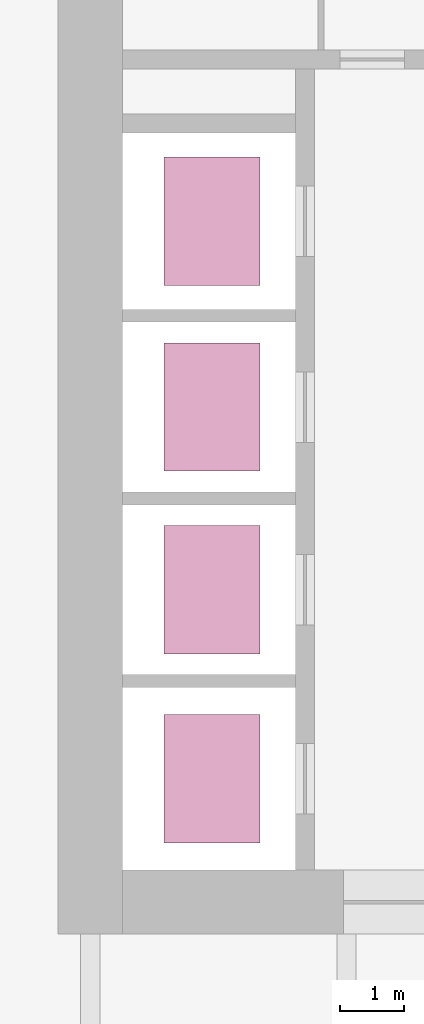
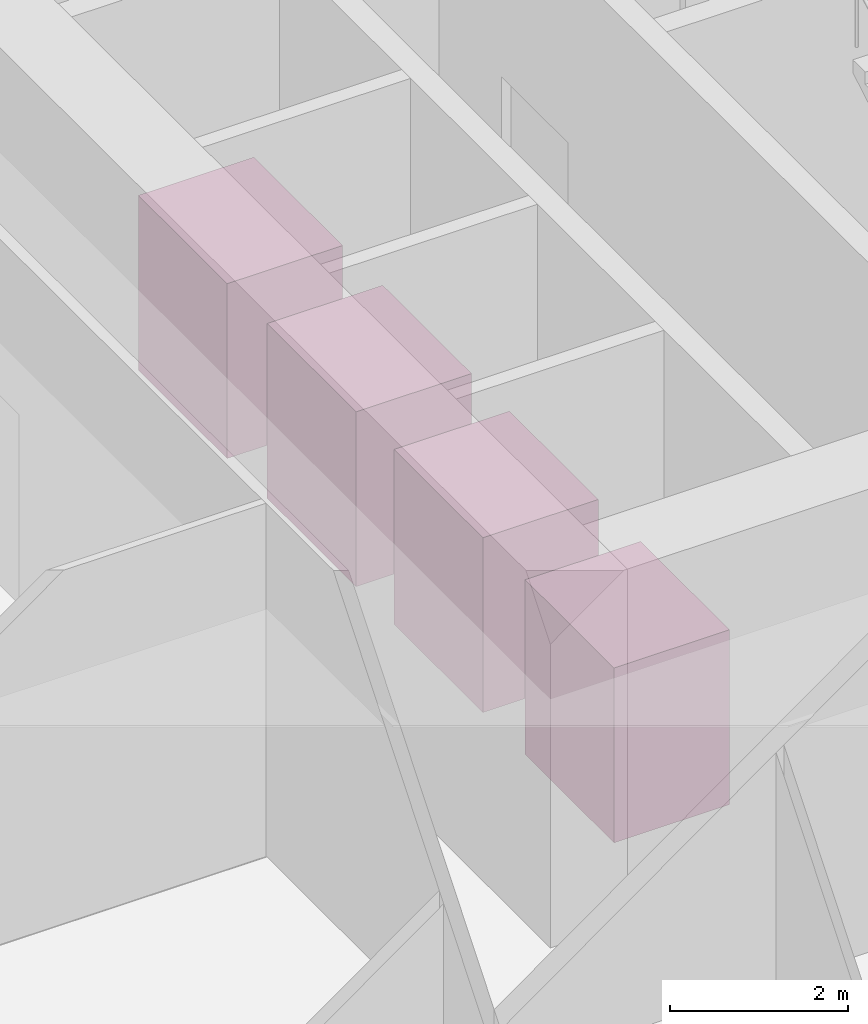
# One storey, part 13 of 13: 4 transport elements.
"""IFC4 building model written with IfcOpenShell, lengths in metres."""

import ifcopenshell
import ifcopenshell.guid

model = None  # the IFC model being written
_history = None  # IfcOwnerHistory: only IFC2X3 demands one
_inside = {}  # id of a spatial element -> (the spatial element, [elements in it])
_under = {}  # id of a project, library or spatial element -> (it, [spatial elements below it])
_declared = {}  # id of a project -> (the project, [libraries it declares])
_typed = {}  # id of a type object -> (the type object, [elements of that type])
_made_of = {}  # id of a material, layer set ... -> (it, [elements and type objects made of it])


def new_model(schema):
    """Start an empty IFC model of exactly this schema.

    Asked for "IFC4X3", IfcOpenShell would pick the latest addendum, in which some entities
    have other attributes; the version numbers below select the first issue.
    IFC2X3 requires an IfcOwnerHistory on every rooted entity: one is made here for all.
    """
    global model, _history
    if schema == "IFC4X3":
        model = ifcopenshell.file(schema_version=(4, 3, 0, 0))
    else:
        model = ifcopenshell.file(schema=schema)
    _inside.clear()
    _under.clear()
    _declared.clear()
    _typed.clear()
    _made_of.clear()
    _history = None
    if model.schema == "IFC2X3":
        org = make("IfcOrganization", Name="unknown")
        user = make(
            "IfcPersonAndOrganization",
            ThePerson=make("IfcPerson", FamilyName="unknown"),
            TheOrganization=org,
        )
        app = make(
            "IfcApplication",
            ApplicationDeveloper=org,
            Version="unknown",
            ApplicationFullName="unknown",
            ApplicationIdentifier="unknown",
        )
        _history = make(
            "IfcOwnerHistory",
            OwningUser=user,
            OwningApplication=app,
            ChangeAction="ADDED",
            CreationDate=0,
        )
    return model


def make(cls, **values):
    """One entity of the class cls with the attributes given. An attribute that is None is left unset."""
    return model.create_entity(
        cls, **{name: value for name, value in values.items() if value is not None}
    )


def rooted(cls, **values):
    """An entity with a GlobalId (a new one), such as an element, a storey or a relation."""
    return make(cls, GlobalId=ifcopenshell.guid.new(), OwnerHistory=_history, **values)


def si_unit(unit_type, name, prefix=None):
    """IfcSIUnit, for example si_unit("LENGTHUNIT", "METRE", prefix="MILLI")."""
    return make("IfcSIUnit", UnitType=unit_type, Prefix=prefix, Name=name)


def assignment(units):
    """IfcUnitAssignment: the units of a project."""
    return None if units is None else make("IfcUnitAssignment", Units=units)


def point(xyz):
    """IfcCartesianPoint."""
    return None if xyz is None else make("IfcCartesianPoint", Coordinates=xyz)


def direction(xyz):
    """IfcDirection."""
    return None if xyz is None else make("IfcDirection", DirectionRatios=xyz)


def frame(location, z_axis=None, x_axis=None):
    """IfcAxis2Placement3D, a coordinate frame: its origin and axes. An axis left out is left unset."""
    return make(
        "IfcAxis2Placement3D",
        Location=point(location),
        Axis=direction(z_axis),
        RefDirection=direction(x_axis),
    )


def frame_2d(location, x_axis=None):
    """IfcAxis2Placement2D, a coordinate frame in the plane: its origin and x axis."""
    return make(
        "IfcAxis2Placement2D", Location=point(location), RefDirection=direction(x_axis)
    )


def origin():
    """The frame at (0, 0, 0) with its axes left unset."""
    return frame((0.0, 0.0, 0.0))


def origin_2d():
    """The frame at (0, 0) in the plane with its x axis left unset."""
    return frame_2d((0.0, 0.0))


def place(relative_to, where):
    """IfcLocalPlacement: puts the frame where relative to a parent placement (None: the world)."""
    return make(
        "IfcLocalPlacement", PlacementRelTo=relative_to, RelativePlacement=where
    )


def context(
    kind, dimensions, precision=None, world=None, true_north=None, identifier=None
):
    """IfcGeometricRepresentationContext, for example the 3D "Model" context."""
    return make(
        "IfcGeometricRepresentationContext",
        ContextIdentifier=identifier,
        ContextType=kind,
        CoordinateSpaceDimension=dimensions,
        Precision=precision,
        WorldCoordinateSystem=world,
        TrueNorth=true_north,
    )


def subcontext(parent, identifier, kind, view, scale=None):
    """IfcGeometricRepresentationSubContext, for example "Body" below "Model"."""
    return make(
        "IfcGeometricRepresentationSubContext",
        ContextIdentifier=identifier,
        ContextType=kind,
        ParentContext=parent,
        TargetScale=scale,
        TargetView=view,
    )


def project(units=None, contexts=None):
    """IfcProject with its units and contexts."""
    return rooted(
        "IfcProject",
        Name="project",
        RepresentationContexts=contexts,
        UnitsInContext=assignment(units),
    )


def spatial(cls, under=None, at=None, **own):
    """A site, building, storey or space (cls), placed at a placement, below another one or the project."""
    s = rooted(cls, ObjectPlacement=at, **own)
    if under is not None:
        _under.setdefault(under.id(), (under, []))[1].append(s)
    return s


def profile(cls, at=None, kind="AREA", **sizes):
    """A parametric profile (cls). Its sizes go by their IFC names, for example OverallWidth=200.0."""
    return make(cls, ProfileType=kind, Position=at, **sizes)


def rectangle(**sizes):
    """IfcRectangleProfileDef."""
    return profile("IfcRectangleProfileDef", **sizes)


def extrude(swept, where, along, depth):
    """IfcExtrudedAreaSolid: the profile swept, set in the frame where, extruded along a direction by depth."""
    return make(
        "IfcExtrudedAreaSolid",
        SweptArea=swept,
        Position=where,
        ExtrudedDirection=direction(along),
        Depth=depth,
    )


def shape(context_of_items, identifier, shape_type, items):
    """IfcShapeRepresentation: the items that make up one representation, for example the "Body"."""
    return make(
        "IfcShapeRepresentation",
        ContextOfItems=context_of_items,
        RepresentationIdentifier=identifier,
        RepresentationType=shape_type,
        Items=items,
    )


def material(Name=None, Category=None):
    """IfcMaterial."""
    return make("IfcMaterial", Name=Name, Category=Category)


def made_of(thing, what):
    """Note that an element or type object is made of a material, layer set ...; save() writes the relation."""
    if what is not None:
        _made_of.setdefault(what.id(), (what, []))[1].append(thing)
    return thing


def type_object(cls, material=None, **own):
    """A type object (cls), such as IfcWallType, which elements share."""
    return made_of(rooted(cls, **own), material)


def element(
    cls,
    number,
    at=None,
    inside=None,
    cuts=None,
    type_object=None,
    material=None,
    context=None,
    identifier="Body",
    shape_type=None,
    held_by="IfcProductDefinitionShape",
    body=None,
    shapes=None,
    **own,
):
    """One element of the class cls, such as IfcWall. Its Tag is "e" and its number.

    at: its placement. inside: the storey or other place that contains it. cuts: it is an
    opening in that element (IfcRelVoidsElement). A single representation is given by context,
    identifier, shape_type and body (its items); several are given by shapes. held_by: the class
    of the entity that holds the representations. save() writes the other relations.
    """
    e = rooted(cls, Tag="e%d" % number, ObjectPlacement=at, **own)
    if body is not None:
        shapes = [shape(context, identifier, shape_type, body)]
    if shapes is not None:
        e.Representation = make(held_by, Representations=shapes)
    if inside is not None:
        _inside.setdefault(inside.id(), (inside, []))[1].append(e)
    if cuts is not None:
        rooted(
            "IfcRelVoidsElement", RelatingBuildingElement=cuts, RelatedOpeningElement=e
        )
    if type_object is not None:
        _typed.setdefault(type_object.id(), (type_object, []))[1].append(e)
    return made_of(e, material)


def aggregate(whole, parts):
    """IfcRelAggregates: a whole, such as a stair, and the parts it consists of."""
    return rooted("IfcRelAggregates", RelatingObject=whole, RelatedObjects=parts)


def save(model, path):
    """Write the relations noted so far, then the file.

    IfcRelAggregates (storeys below a building ...), IfcRelContainedInSpatialStructure (elements
    in a storey), IfcRelDefinesByType, IfcRelAssociatesMaterial and IfcRelDeclares: one each for
    every whole, place, type object, material and project.
    """
    for whole, parts in _under.values():
        aggregate(whole, parts)
    for where, things in _inside.values():
        rooted(
            "IfcRelContainedInSpatialStructure",
            RelatedElements=things,
            RelatingStructure=where,
        )
    for kind, things in _typed.values():
        rooted("IfcRelDefinesByType", RelatedObjects=things, RelatingType=kind)
    for what, things in _made_of.values():
        rooted("IfcRelAssociatesMaterial", RelatedObjects=things, RelatingMaterial=what)
    for by, libraries in _declared.values():
        rooted("IfcRelDeclares", RelatingContext=by, RelatedDefinitions=libraries)
    model.write(path)


model = new_model("IFC4")

# Units and contexts
model_context = context("Model", 3, precision=1e-05, world=origin(), true_north=direction((0.0, 1.0)))
body_context = subcontext(model_context, "Body", "Model", "MODEL_VIEW")
ifc_project = project(units=[si_unit("LENGTHUNIT", "METRE"), si_unit("AREAUNIT", "SQUARE_METRE"), si_unit("VOLUMEUNIT", "CUBIC_METRE"), si_unit("PLANEANGLEUNIT", "RADIAN"), si_unit("MASSUNIT", "GRAM", prefix="KILO")], contexts=[model_context])

# Site, building, storey
site_placement = place(None, origin())
site = spatial("IfcSite", under=ifc_project, at=site_placement, CompositionType="ELEMENT")
building_placement = place(site_placement, origin())
building = spatial("IfcBuilding", under=site, at=building_placement, Name="Rimbunsela Tower", CompositionType="ELEMENT")
storey_placement = place(building_placement, frame((0.0, 0.0, 142.800048828125)))
storey = spatial("IfcBuildingStorey", under=building, at=storey_placement, Name="L34", CompositionType="ELEMENT", Elevation=142.800048828125)

# Transport elements
ifc_material = material(Name="Steel lift car", Category="steel")
transport_element_type = type_object("IfcTransportElementType", Name="Passenger lift 1350", PredefinedType="ELEVATOR", material=ifc_material)
for number, where, z_axis, x_axis, name in (
    (1, (19.89990234375, 19.925048828125, 0.0), (0.0, 0.0, 1.0), (1.0, 0.0, 0.0), "High-rise lift HL1"),
    (2, (19.89990234375, 22.875, 0.0), (0.0, 0.0, 1.0), (1.0, 0.0, 0.0), "High-rise lift HL2"),
    (3, (19.89990234375, 25.72509765625, 0.0), (0.0, 0.0, 1.0), (1.0, 0.0, 0.0), "High-rise lift HL3"),
    (4, (19.89990234375, 28.625, 0.0), (0.0, 0.0, 1.0), (1.0, 0.0, 0.0), "High-rise lift HL4"),
):
    element("IfcTransportElement", number, at=place(storey_placement, frame(where, z_axis=z_axis, x_axis=x_axis)), inside=storey, type_object=transport_element_type, Name=name, PredefinedType="ELEVATOR", context=body_context, shape_type="SweptSolid", body=[
        extrude(rectangle(XDim=1.5, YDim=2.0, at=origin_2d()), origin(), (0.0, 0.0, 1.0), 2.39990234375),
    ])

save(model, "model.ifc")
